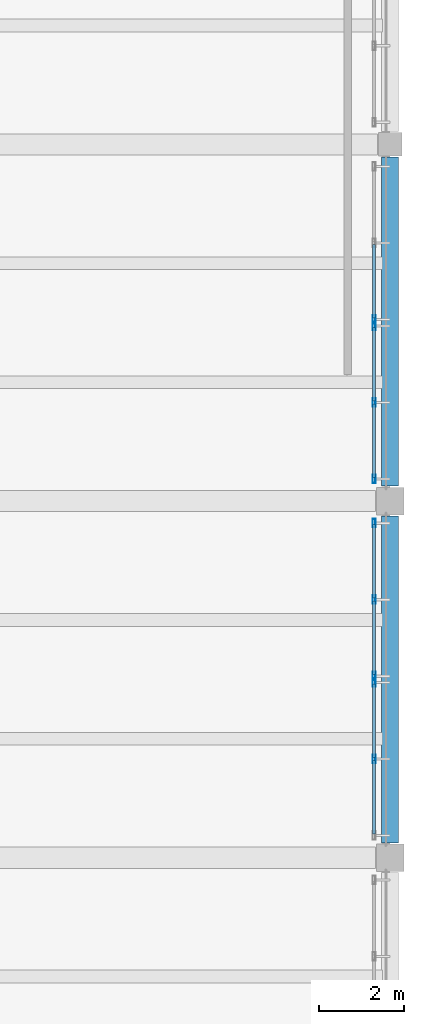
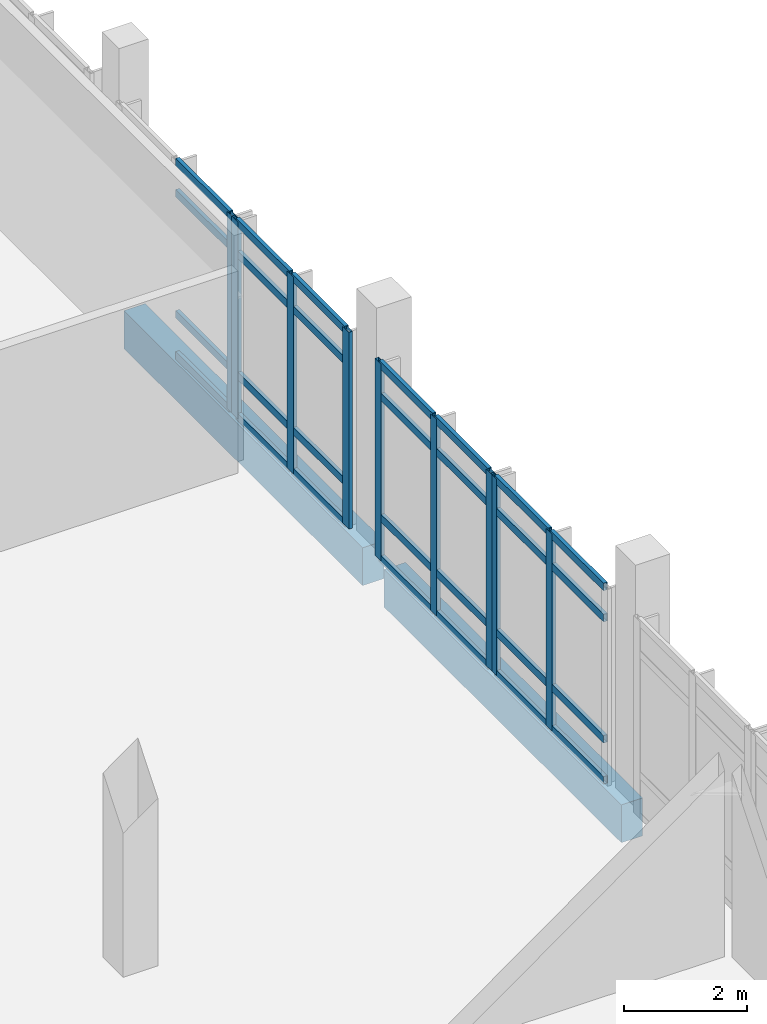
# One storey, part 22 of 63: 37 members, 2 beams, 4 elements without a shape of their own.
"""IFC4 building model written with IfcOpenShell, lengths in metres."""

from ifc_helpers import new_model, si_unit, derived_unit, direction, frame, origin, origin_2d, place, context, subcontext, project, spatial, rectangle, hollow_rectangle, extrude, material, layer, layer_set, material_profile, profile_set, type_object, element, aggregate, save


model = new_model("IFC4")

# Units and contexts
model_context = context("Model", 3, precision=1e-05, world=origin(), true_north=direction((0.0, 1.0)))
body_context = subcontext(model_context, "Body", "Model", "MODEL_VIEW")
ifc_project = project(units=[si_unit("LENGTHUNIT", "METRE"), si_unit("AREAUNIT", "SQUARE_METRE"), si_unit("VOLUMEUNIT", "CUBIC_METRE"), si_unit("PLANEANGLEUNIT", "RADIAN"), si_unit("MASSUNIT", "GRAM", prefix="KILO"), derived_unit("THERMALTRANSMITTANCEUNIT", [(si_unit("POWERUNIT", "WATT"), 1), (si_unit("LENGTHUNIT", "METRE"), -2), (si_unit("THERMODYNAMICTEMPERATUREUNIT", "KELVIN"), -1)])], contexts=[model_context])

# Site, building, storey
site_placement = place(None, origin())
site = spatial("IfcSite", under=ifc_project, at=site_placement, CompositionType="ELEMENT")
building_placement = place(site_placement, origin())
building = spatial("IfcBuilding", under=site, at=building_placement, Name="Elbkamm Science Centre", CompositionType="ELEMENT")
storey_placement = place(building_placement, frame((0.0, 0.0, 5.10009765625)))
storey = spatial("IfcBuildingStorey", under=building, at=storey_placement, Name="L01", CompositionType="ELEMENT", Elevation=5.10009765625)

# Beams
ifc_material_1 = material(Name="Concrete C40/50", Category="concrete")
ifc_material_profile_1 = material_profile(ifc_material_1, rectangle(XDim=0.39990234375, YDim=0.75, at=origin_2d()), Name="RC 400x750")
ifc_profile_set_1 = profile_set([ifc_material_profile_1], Name="Concrete C40/50")
beam_type = type_object("IfcBeamType", Name="BM-RC-400x750", PredefinedType="BEAM", material=ifc_profile_set_1)
beam_1_placement = place(storey_placement, frame((160.800048828125, 50.75, -0.775146484375), z_axis=(0.0, 1.0, 0.0), x_axis=(-1.0, 0.0, 0.0)))
element("IfcBeam", 1, at=beam_1_placement, inside=storey, type_object=beam_type, Name="L01 Primary Y-Girder 076", PredefinedType="BEAM", context=body_context, shape_type="SweptSolid", body=[
    extrude(rectangle(XDim=0.39990234375, YDim=0.75, at=origin_2d()), origin(), (0.0, 0.0, 1.0), 7.699951171875),
])
beam_2_placement = place(storey_placement, frame((160.800048828125, 59.14990234375, -0.775146484375), z_axis=(0.0, 1.0, 0.0), x_axis=(-1.0, 0.0, 0.0)))
element("IfcBeam", 2, at=beam_2_placement, inside=storey, type_object=beam_type, Name="L01 Primary Y-Girder 077", PredefinedType="BEAM", context=body_context, shape_type="SweptSolid", body=[
    extrude(rectangle(XDim=0.39990234375, YDim=0.75, at=origin_2d()), origin(), (0.0, 0.0, 1.0), 7.75),
])

# Curtain wall, member
ifc_material_2 = material(Name="Powder-coated aluminium and triple low-E glazing", Category="aluminium")
ifc_layer = layer(ifc_material_2, 0.159912109375)
ifc_layer_set = layer_set([ifc_layer], Name="Powder-coated aluminium and triple low-E glazing")
curtain_wall_type = type_object("IfcCurtainWallType", Name="CW-UNIT-3680x3900", PredefinedType="USERDEFINED", material=ifc_layer_set)
curtain_wall_1_placement = place(storey_placement, origin())
curtain_wall_1 = element("IfcCurtainWall", 3, at=curtain_wall_1_placement, inside=storey, type_object=curtain_wall_type, Name="L01 Unitised Curtain Wall 167", ObjectType="UNITISED CURTAIN WALL", PredefinedType="USERDEFINED")
ifc_material_3 = material(Name="Powder-coated aluminium EN AW-6060", Category="aluminium")
ifc_material_profile_2 = material_profile(ifc_material_3, hollow_rectangle(XDim=0.070068359375, YDim=0.199951171875, WallThickness=0.00439453125, at=origin_2d()), Name="ALU M70x200")
ifc_profile_set_2 = profile_set([ifc_material_profile_2], Name="Powder-coated aluminium EN AW-6060")
member_type_1 = type_object("IfcMemberType", Name="CW-MUL-70x200", PredefinedType="MULLION", material=ifc_profile_set_2)
member_1_placement = place(storey_placement, frame((160.419921875, 63.074951171875, 0.0), z_axis=(0.0, 0.0, 1.0), x_axis=(1.0, 0.0, 0.0)))
member_1 = element("IfcMember", 4, at=member_1_placement, type_object=member_type_1, Name="CW-066 mullion 3", PredefinedType="MULLION", context=body_context, shape_type="SweptSolid", body=[
    extrude(hollow_rectangle(XDim=0.070068359375, YDim=0.199951171875, WallThickness=0.00439453125, at=origin_2d()), origin(), (0.0, 0.0, 1.0), 3.89990234375),
])

# Curtain wall, members
curtain_wall_2_placement = place(storey_placement, origin())
curtain_wall_2 = element("IfcCurtainWall", 5, at=curtain_wall_2_placement, inside=storey, type_object=curtain_wall_type, Name="L01 Unitised Curtain Wall 168", ObjectType="UNITISED CURTAIN WALL", PredefinedType="USERDEFINED")
member_2_placement = place(storey_placement, frame((160.419921875, 62.925048828125, 0.0), z_axis=(0.0, 0.0, 1.0), x_axis=(1.0, 0.0, 0.0)))
member_2 = element("IfcMember", 6, at=member_2_placement, type_object=member_type_1, Name="CW-066 mullion 1", PredefinedType="MULLION", context=body_context, shape_type="SweptSolid", body=[
    extrude(hollow_rectangle(XDim=0.070068359375, YDim=0.199951171875, WallThickness=0.00439453125, at=origin_2d()), origin(), (0.0, 0.0, 1.0), 3.89990234375),
])
member_3_placement = place(storey_placement, frame((160.419921875, 61.123046875, 0.0), z_axis=(0.0, 0.0, 1.0), x_axis=(1.0, 0.0, 0.0)))
member_3 = element("IfcMember", 7, at=member_3_placement, type_object=member_type_1, Name="CW-066 mullion 2", PredefinedType="MULLION", context=body_context, shape_type="SweptSolid", body=[
    extrude(hollow_rectangle(XDim=0.070068359375, YDim=0.199951171875, WallThickness=0.00439453125, at=origin_2d()), origin(), (0.0, 0.0, 1.0), 3.89990234375),
])
member_4_placement = place(storey_placement, frame((160.419921875, 59.3212890625, 0.0), z_axis=(0.0, 0.0, 1.0), x_axis=(1.0, 0.0, 0.0)))
member_4 = element("IfcMember", 8, at=member_4_placement, type_object=member_type_1, Name="CW-066 mullion 3", PredefinedType="MULLION", context=body_context, shape_type="SweptSolid", body=[
    extrude(hollow_rectangle(XDim=0.070068359375, YDim=0.199951171875, WallThickness=0.00439453125, at=origin_2d()), origin(), (0.0, 0.0, 1.0), 3.89990234375),
])

curtain_wall_3_placement = place(storey_placement, origin())
curtain_wall_3 = element("IfcCurtainWall", 9, at=curtain_wall_3_placement, inside=storey, type_object=curtain_wall_type, Name="L01 Unitised Curtain Wall 169", ObjectType="UNITISED CURTAIN WALL", PredefinedType="USERDEFINED")
member_5_placement = place(storey_placement, frame((160.419921875, 58.27880859375, 0.0), z_axis=(0.0, 0.0, 1.0), x_axis=(1.0, 0.0, 0.0)))
member_5 = element("IfcMember", 10, at=member_5_placement, type_object=member_type_1, Name="CW-066 mullion 1", PredefinedType="MULLION", context=body_context, shape_type="SweptSolid", body=[
    extrude(hollow_rectangle(XDim=0.070068359375, YDim=0.199951171875, WallThickness=0.00439453125, at=origin_2d()), origin(), (0.0, 0.0, 1.0), 3.89990234375),
])
member_6_placement = place(storey_placement, frame((160.419921875, 56.476806640625, 0.0), z_axis=(0.0, 0.0, 1.0), x_axis=(1.0, 0.0, 0.0)))
member_6 = element("IfcMember", 11, at=member_6_placement, type_object=member_type_1, Name="CW-066 mullion 2", PredefinedType="MULLION", context=body_context, shape_type="SweptSolid", body=[
    extrude(hollow_rectangle(XDim=0.070068359375, YDim=0.199951171875, WallThickness=0.00439453125, at=origin_2d()), origin(), (0.0, 0.0, 1.0), 3.89990234375),
])
member_7_placement = place(storey_placement, frame((160.419921875, 54.675048828125, 0.0), z_axis=(0.0, 0.0, 1.0), x_axis=(1.0, 0.0, 0.0)))
member_7 = element("IfcMember", 12, at=member_7_placement, type_object=member_type_1, Name="CW-066 mullion 3", PredefinedType="MULLION", context=body_context, shape_type="SweptSolid", body=[
    extrude(hollow_rectangle(XDim=0.070068359375, YDim=0.199951171875, WallThickness=0.00439453125, at=origin_2d()), origin(), (0.0, 0.0, 1.0), 3.89990234375),
])

curtain_wall_4_placement = place(storey_placement, origin())
curtain_wall_4 = element("IfcCurtainWall", 13, at=curtain_wall_4_placement, inside=storey, type_object=curtain_wall_type, Name="L01 Unitised Curtain Wall 170", ObjectType="UNITISED CURTAIN WALL", PredefinedType="USERDEFINED")
member_8_placement = place(storey_placement, frame((160.419921875, 54.52490234375, 0.0), z_axis=(0.0, 0.0, 1.0), x_axis=(1.0, 0.0, 0.0)))
member_8 = element("IfcMember", 14, at=member_8_placement, type_object=member_type_1, Name="CW-066 mullion 1", PredefinedType="MULLION", context=body_context, shape_type="SweptSolid", body=[
    extrude(hollow_rectangle(XDim=0.070068359375, YDim=0.199951171875, WallThickness=0.00439453125, at=origin_2d()), origin(), (0.0, 0.0, 1.0), 3.89990234375),
])
member_9_placement = place(storey_placement, frame((160.419921875, 52.72314453125, 0.0), z_axis=(0.0, 0.0, 1.0), x_axis=(1.0, 0.0, 0.0)))
member_9 = element("IfcMember", 15, at=member_9_placement, type_object=member_type_1, Name="CW-066 mullion 2", PredefinedType="MULLION", context=body_context, shape_type="SweptSolid", body=[
    extrude(hollow_rectangle(XDim=0.070068359375, YDim=0.199951171875, WallThickness=0.00439453125, at=origin_2d()), origin(), (0.0, 0.0, 1.0), 3.89990234375),
])

# Member
ifc_material_profile_3 = material_profile(ifc_material_3, hollow_rectangle(XDim=0.070068359375, YDim=0.14990234375, WallThickness=0.00390625, at=origin_2d()), Name="ALU T70x150")
ifc_profile_set_3 = profile_set([ifc_material_profile_3], Name="Powder-coated aluminium EN AW-6060")
member_type_2 = type_object("IfcMemberType", Name="CW-TRN-70x150", PredefinedType="USERDEFINED", material=ifc_profile_set_3)
member_10_placement = place(storey_placement, frame((160.419921875, 64.841796875, 0.034912109375), z_axis=(0.0, -1.0, 0.0), x_axis=(1.0, 0.0, 0.0)))
member_10 = element("IfcMember", 16, at=member_10_placement, type_object=member_type_2, Name="CW-066 transom 2.1", ObjectType="TRANSOM", PredefinedType="USERDEFINED", context=body_context, shape_type="SweptSolid", body=[
    extrude(hollow_rectangle(XDim=0.070068359375, YDim=0.14990234375, WallThickness=0.00390625, at=origin_2d()), origin(), (0.0, 0.0, 1.0), 1.731689453125),
])

member_11_placement = place(storey_placement, frame((160.419921875, 64.841796875, 0.849853515625), z_axis=(0.0, -1.0, 0.0), x_axis=(1.0, 0.0, 0.0)))
member_11 = element("IfcMember", 17, at=member_11_placement, type_object=member_type_2, Name="CW-066 transom 2.2", ObjectType="TRANSOM", PredefinedType="USERDEFINED", context=body_context, shape_type="SweptSolid", body=[
    extrude(hollow_rectangle(XDim=0.070068359375, YDim=0.14990234375, WallThickness=0.00390625, at=origin_2d()), origin(), (0.0, 0.0, 1.0), 1.731689453125),
])

member_12_placement = place(storey_placement, frame((160.419921875, 64.841796875, 3.25), z_axis=(0.0, -1.0, 0.0), x_axis=(1.0, 0.0, 0.0)))
member_12 = element("IfcMember", 18, at=member_12_placement, type_object=member_type_2, Name="CW-066 transom 2.3", ObjectType="TRANSOM", PredefinedType="USERDEFINED", context=body_context, shape_type="SweptSolid", body=[
    extrude(hollow_rectangle(XDim=0.070068359375, YDim=0.14990234375, WallThickness=0.00390625, at=origin_2d()), origin(), (0.0, 0.0, 1.0), 1.731689453125),
])

member_13_placement = place(storey_placement, frame((160.419921875, 64.841796875, 3.864990234375), z_axis=(0.0, -1.0, 0.0), x_axis=(1.0, 0.0, 0.0)))
member_13 = element("IfcMember", 19, at=member_13_placement, type_object=member_type_2, Name="CW-066 transom 2.4", ObjectType="TRANSOM", PredefinedType="USERDEFINED", context=body_context, shape_type="SweptSolid", body=[
    extrude(hollow_rectangle(XDim=0.070068359375, YDim=0.14990234375, WallThickness=0.00390625, at=origin_2d()), origin(), (0.0, 0.0, 1.0), 1.731689453125),
])

aggregate(curtain_wall_1, [member_1, member_10, member_11, member_12, member_13])

member_14_placement = place(storey_placement, frame((160.419921875, 62.889892578125, 0.034912109375), z_axis=(0.0, -1.0, 0.0), x_axis=(1.0, 0.0, 0.0)))
member_14 = element("IfcMember", 20, at=member_14_placement, type_object=member_type_2, Name="CW-066 transom 1.1", ObjectType="TRANSOM", PredefinedType="USERDEFINED", context=body_context, shape_type="SweptSolid", body=[
    extrude(hollow_rectangle(XDim=0.070068359375, YDim=0.14990234375, WallThickness=0.00390625, at=origin_2d()), origin(), (0.0, 0.0, 1.0), 1.731689453125),
])

member_15_placement = place(storey_placement, frame((160.419921875, 62.889892578125, 0.849853515625), z_axis=(0.0, -1.0, 0.0), x_axis=(1.0, 0.0, 0.0)))
member_15 = element("IfcMember", 21, at=member_15_placement, type_object=member_type_2, Name="CW-066 transom 1.2", ObjectType="TRANSOM", PredefinedType="USERDEFINED", context=body_context, shape_type="SweptSolid", body=[
    extrude(hollow_rectangle(XDim=0.070068359375, YDim=0.14990234375, WallThickness=0.00390625, at=origin_2d()), origin(), (0.0, 0.0, 1.0), 1.731689453125),
])

member_16_placement = place(storey_placement, frame((160.419921875, 62.889892578125, 3.25), z_axis=(0.0, -1.0, 0.0), x_axis=(1.0, 0.0, 0.0)))
member_16 = element("IfcMember", 22, at=member_16_placement, type_object=member_type_2, Name="CW-066 transom 1.3", ObjectType="TRANSOM", PredefinedType="USERDEFINED", context=body_context, shape_type="SweptSolid", body=[
    extrude(hollow_rectangle(XDim=0.070068359375, YDim=0.14990234375, WallThickness=0.00390625, at=origin_2d()), origin(), (0.0, 0.0, 1.0), 1.731689453125),
])

member_17_placement = place(storey_placement, frame((160.419921875, 62.889892578125, 3.864990234375), z_axis=(0.0, -1.0, 0.0), x_axis=(1.0, 0.0, 0.0)))
member_17 = element("IfcMember", 23, at=member_17_placement, type_object=member_type_2, Name="CW-066 transom 1.4", ObjectType="TRANSOM", PredefinedType="USERDEFINED", context=body_context, shape_type="SweptSolid", body=[
    extrude(hollow_rectangle(XDim=0.070068359375, YDim=0.14990234375, WallThickness=0.00390625, at=origin_2d()), origin(), (0.0, 0.0, 1.0), 1.731689453125),
])

member_18_placement = place(storey_placement, frame((160.419921875, 61.088134765625, 0.034912109375), z_axis=(0.0, -1.0, 0.0), x_axis=(1.0, 0.0, 0.0)))
member_18 = element("IfcMember", 24, at=member_18_placement, type_object=member_type_2, Name="CW-066 transom 2.1", ObjectType="TRANSOM", PredefinedType="USERDEFINED", context=body_context, shape_type="SweptSolid", body=[
    extrude(hollow_rectangle(XDim=0.070068359375, YDim=0.14990234375, WallThickness=0.00390625, at=origin_2d()), origin(), (0.0, 0.0, 1.0), 1.73193359375),
])

member_19_placement = place(storey_placement, frame((160.419921875, 61.088134765625, 0.849853515625), z_axis=(0.0, -1.0, 0.0), x_axis=(1.0, 0.0, 0.0)))
member_19 = element("IfcMember", 25, at=member_19_placement, type_object=member_type_2, Name="CW-066 transom 2.2", ObjectType="TRANSOM", PredefinedType="USERDEFINED", context=body_context, shape_type="SweptSolid", body=[
    extrude(hollow_rectangle(XDim=0.070068359375, YDim=0.14990234375, WallThickness=0.00390625, at=origin_2d()), origin(), (0.0, 0.0, 1.0), 1.73193359375),
])

member_20_placement = place(storey_placement, frame((160.419921875, 61.088134765625, 3.25), z_axis=(0.0, -1.0, 0.0), x_axis=(1.0, 0.0, 0.0)))
member_20 = element("IfcMember", 26, at=member_20_placement, type_object=member_type_2, Name="CW-066 transom 2.3", ObjectType="TRANSOM", PredefinedType="USERDEFINED", context=body_context, shape_type="SweptSolid", body=[
    extrude(hollow_rectangle(XDim=0.070068359375, YDim=0.14990234375, WallThickness=0.00390625, at=origin_2d()), origin(), (0.0, 0.0, 1.0), 1.73193359375),
])

member_21_placement = place(storey_placement, frame((160.419921875, 61.088134765625, 3.864990234375), z_axis=(0.0, -1.0, 0.0), x_axis=(1.0, 0.0, 0.0)))
member_21 = element("IfcMember", 27, at=member_21_placement, type_object=member_type_2, Name="CW-066 transom 2.4", ObjectType="TRANSOM", PredefinedType="USERDEFINED", context=body_context, shape_type="SweptSolid", body=[
    extrude(hollow_rectangle(XDim=0.070068359375, YDim=0.14990234375, WallThickness=0.00390625, at=origin_2d()), origin(), (0.0, 0.0, 1.0), 1.73193359375),
])

aggregate(curtain_wall_2, [member_2, member_3, member_4, member_14, member_15, member_16, member_17, member_18, member_19, member_20, member_21])

member_22_placement = place(storey_placement, frame((160.419921875, 58.24365234375, 0.034912109375), z_axis=(0.0, -1.0, 0.0), x_axis=(1.0, 0.0, 0.0)))
member_22 = element("IfcMember", 28, at=member_22_placement, type_object=member_type_2, Name="CW-066 transom 1.1", ObjectType="TRANSOM", PredefinedType="USERDEFINED", context=body_context, shape_type="SweptSolid", body=[
    extrude(hollow_rectangle(XDim=0.070068359375, YDim=0.14990234375, WallThickness=0.00390625, at=origin_2d()), origin(), (0.0, 0.0, 1.0), 1.731689453125),
])

member_23_placement = place(storey_placement, frame((160.419921875, 58.24365234375, 0.849853515625), z_axis=(0.0, -1.0, 0.0), x_axis=(1.0, 0.0, 0.0)))
member_23 = element("IfcMember", 29, at=member_23_placement, type_object=member_type_2, Name="CW-066 transom 1.2", ObjectType="TRANSOM", PredefinedType="USERDEFINED", context=body_context, shape_type="SweptSolid", body=[
    extrude(hollow_rectangle(XDim=0.070068359375, YDim=0.14990234375, WallThickness=0.00390625, at=origin_2d()), origin(), (0.0, 0.0, 1.0), 1.731689453125),
])

member_24_placement = place(storey_placement, frame((160.419921875, 58.24365234375, 3.25), z_axis=(0.0, -1.0, 0.0), x_axis=(1.0, 0.0, 0.0)))
member_24 = element("IfcMember", 30, at=member_24_placement, type_object=member_type_2, Name="CW-066 transom 1.3", ObjectType="TRANSOM", PredefinedType="USERDEFINED", context=body_context, shape_type="SweptSolid", body=[
    extrude(hollow_rectangle(XDim=0.070068359375, YDim=0.14990234375, WallThickness=0.00390625, at=origin_2d()), origin(), (0.0, 0.0, 1.0), 1.731689453125),
])

member_25_placement = place(storey_placement, frame((160.419921875, 58.24365234375, 3.864990234375), z_axis=(0.0, -1.0, 0.0), x_axis=(1.0, 0.0, 0.0)))
member_25 = element("IfcMember", 31, at=member_25_placement, type_object=member_type_2, Name="CW-066 transom 1.4", ObjectType="TRANSOM", PredefinedType="USERDEFINED", context=body_context, shape_type="SweptSolid", body=[
    extrude(hollow_rectangle(XDim=0.070068359375, YDim=0.14990234375, WallThickness=0.00390625, at=origin_2d()), origin(), (0.0, 0.0, 1.0), 1.731689453125),
])

member_26_placement = place(storey_placement, frame((160.419921875, 56.44189453125, 0.034912109375), z_axis=(0.0, -1.0, 0.0), x_axis=(1.0, 0.0, 0.0)))
member_26 = element("IfcMember", 32, at=member_26_placement, type_object=member_type_2, Name="CW-066 transom 2.1", ObjectType="TRANSOM", PredefinedType="USERDEFINED", context=body_context, shape_type="SweptSolid", body=[
    extrude(hollow_rectangle(XDim=0.070068359375, YDim=0.14990234375, WallThickness=0.00390625, at=origin_2d()), origin(), (0.0, 0.0, 1.0), 1.73193359375),
])

member_27_placement = place(storey_placement, frame((160.419921875, 56.44189453125, 0.849853515625), z_axis=(0.0, -1.0, 0.0), x_axis=(1.0, 0.0, 0.0)))
member_27 = element("IfcMember", 33, at=member_27_placement, type_object=member_type_2, Name="CW-066 transom 2.2", ObjectType="TRANSOM", PredefinedType="USERDEFINED", context=body_context, shape_type="SweptSolid", body=[
    extrude(hollow_rectangle(XDim=0.070068359375, YDim=0.14990234375, WallThickness=0.00390625, at=origin_2d()), origin(), (0.0, 0.0, 1.0), 1.73193359375),
])

member_28_placement = place(storey_placement, frame((160.419921875, 56.44189453125, 3.25), z_axis=(0.0, -1.0, 0.0), x_axis=(1.0, 0.0, 0.0)))
member_28 = element("IfcMember", 34, at=member_28_placement, type_object=member_type_2, Name="CW-066 transom 2.3", ObjectType="TRANSOM", PredefinedType="USERDEFINED", context=body_context, shape_type="SweptSolid", body=[
    extrude(hollow_rectangle(XDim=0.070068359375, YDim=0.14990234375, WallThickness=0.00390625, at=origin_2d()), origin(), (0.0, 0.0, 1.0), 1.73193359375),
])

member_29_placement = place(storey_placement, frame((160.419921875, 56.44189453125, 3.864990234375), z_axis=(0.0, -1.0, 0.0), x_axis=(1.0, 0.0, 0.0)))
member_29 = element("IfcMember", 35, at=member_29_placement, type_object=member_type_2, Name="CW-066 transom 2.4", ObjectType="TRANSOM", PredefinedType="USERDEFINED", context=body_context, shape_type="SweptSolid", body=[
    extrude(hollow_rectangle(XDim=0.070068359375, YDim=0.14990234375, WallThickness=0.00390625, at=origin_2d()), origin(), (0.0, 0.0, 1.0), 1.73193359375),
])

aggregate(curtain_wall_3, [member_5, member_6, member_7, member_22, member_23, member_24, member_25, member_26, member_27, member_28, member_29])

member_30_placement = place(storey_placement, frame((160.419921875, 54.489990234375, 0.034912109375), z_axis=(0.0, -1.0, 0.0), x_axis=(1.0, 0.0, 0.0)))
member_30 = element("IfcMember", 36, at=member_30_placement, type_object=member_type_2, Name="CW-066 transom 1.1", ObjectType="TRANSOM", PredefinedType="USERDEFINED", context=body_context, shape_type="SweptSolid", body=[
    extrude(hollow_rectangle(XDim=0.070068359375, YDim=0.14990234375, WallThickness=0.00390625, at=origin_2d()), origin(), (0.0, 0.0, 1.0), 1.73193359375),
])

member_31_placement = place(storey_placement, frame((160.419921875, 54.489990234375, 0.849853515625), z_axis=(0.0, -1.0, 0.0), x_axis=(1.0, 0.0, 0.0)))
member_31 = element("IfcMember", 37, at=member_31_placement, type_object=member_type_2, Name="CW-066 transom 1.2", ObjectType="TRANSOM", PredefinedType="USERDEFINED", context=body_context, shape_type="SweptSolid", body=[
    extrude(hollow_rectangle(XDim=0.070068359375, YDim=0.14990234375, WallThickness=0.00390625, at=origin_2d()), origin(), (0.0, 0.0, 1.0), 1.73193359375),
])

member_32_placement = place(storey_placement, frame((160.419921875, 54.489990234375, 3.25), z_axis=(0.0, -1.0, 0.0), x_axis=(1.0, 0.0, 0.0)))
member_32 = element("IfcMember", 38, at=member_32_placement, type_object=member_type_2, Name="CW-066 transom 1.3", ObjectType="TRANSOM", PredefinedType="USERDEFINED", context=body_context, shape_type="SweptSolid", body=[
    extrude(hollow_rectangle(XDim=0.070068359375, YDim=0.14990234375, WallThickness=0.00390625, at=origin_2d()), origin(), (0.0, 0.0, 1.0), 1.73193359375),
])

member_33_placement = place(storey_placement, frame((160.419921875, 54.489990234375, 3.864990234375), z_axis=(0.0, -1.0, 0.0), x_axis=(1.0, 0.0, 0.0)))
member_33 = element("IfcMember", 39, at=member_33_placement, type_object=member_type_2, Name="CW-066 transom 1.4", ObjectType="TRANSOM", PredefinedType="USERDEFINED", context=body_context, shape_type="SweptSolid", body=[
    extrude(hollow_rectangle(XDim=0.070068359375, YDim=0.14990234375, WallThickness=0.00390625, at=origin_2d()), origin(), (0.0, 0.0, 1.0), 1.73193359375),
])

member_34_placement = place(storey_placement, frame((160.419921875, 52.688232421875, 0.034912109375), z_axis=(0.0, -1.0, 0.0), x_axis=(1.0, 0.0, 0.0)))
member_34 = element("IfcMember", 40, at=member_34_placement, type_object=member_type_2, Name="CW-066 transom 2.1", ObjectType="TRANSOM", PredefinedType="USERDEFINED", context=body_context, shape_type="SweptSolid", body=[
    extrude(hollow_rectangle(XDim=0.070068359375, YDim=0.14990234375, WallThickness=0.00390625, at=origin_2d()), origin(), (0.0, 0.0, 1.0), 1.73193359375),
])

member_35_placement = place(storey_placement, frame((160.419921875, 52.688232421875, 0.849853515625), z_axis=(0.0, -1.0, 0.0), x_axis=(1.0, 0.0, 0.0)))
member_35 = element("IfcMember", 41, at=member_35_placement, type_object=member_type_2, Name="CW-066 transom 2.2", ObjectType="TRANSOM", PredefinedType="USERDEFINED", context=body_context, shape_type="SweptSolid", body=[
    extrude(hollow_rectangle(XDim=0.070068359375, YDim=0.14990234375, WallThickness=0.00390625, at=origin_2d()), origin(), (0.0, 0.0, 1.0), 1.73193359375),
])

member_36_placement = place(storey_placement, frame((160.419921875, 52.688232421875, 3.25), z_axis=(0.0, -1.0, 0.0), x_axis=(1.0, 0.0, 0.0)))
member_36 = element("IfcMember", 42, at=member_36_placement, type_object=member_type_2, Name="CW-066 transom 2.3", ObjectType="TRANSOM", PredefinedType="USERDEFINED", context=body_context, shape_type="SweptSolid", body=[
    extrude(hollow_rectangle(XDim=0.070068359375, YDim=0.14990234375, WallThickness=0.00390625, at=origin_2d()), origin(), (0.0, 0.0, 1.0), 1.73193359375),
])

member_37_placement = place(storey_placement, frame((160.419921875, 52.688232421875, 3.864990234375), z_axis=(0.0, -1.0, 0.0), x_axis=(1.0, 0.0, 0.0)))
member_37 = element("IfcMember", 43, at=member_37_placement, type_object=member_type_2, Name="CW-066 transom 2.4", ObjectType="TRANSOM", PredefinedType="USERDEFINED", context=body_context, shape_type="SweptSolid", body=[
    extrude(hollow_rectangle(XDim=0.070068359375, YDim=0.14990234375, WallThickness=0.00390625, at=origin_2d()), origin(), (0.0, 0.0, 1.0), 1.73193359375),
])

aggregate(curtain_wall_4, [member_8, member_9, member_30, member_31, member_32, member_33, member_34, member_35, member_36, member_37])

save(model, "model.ifc")
